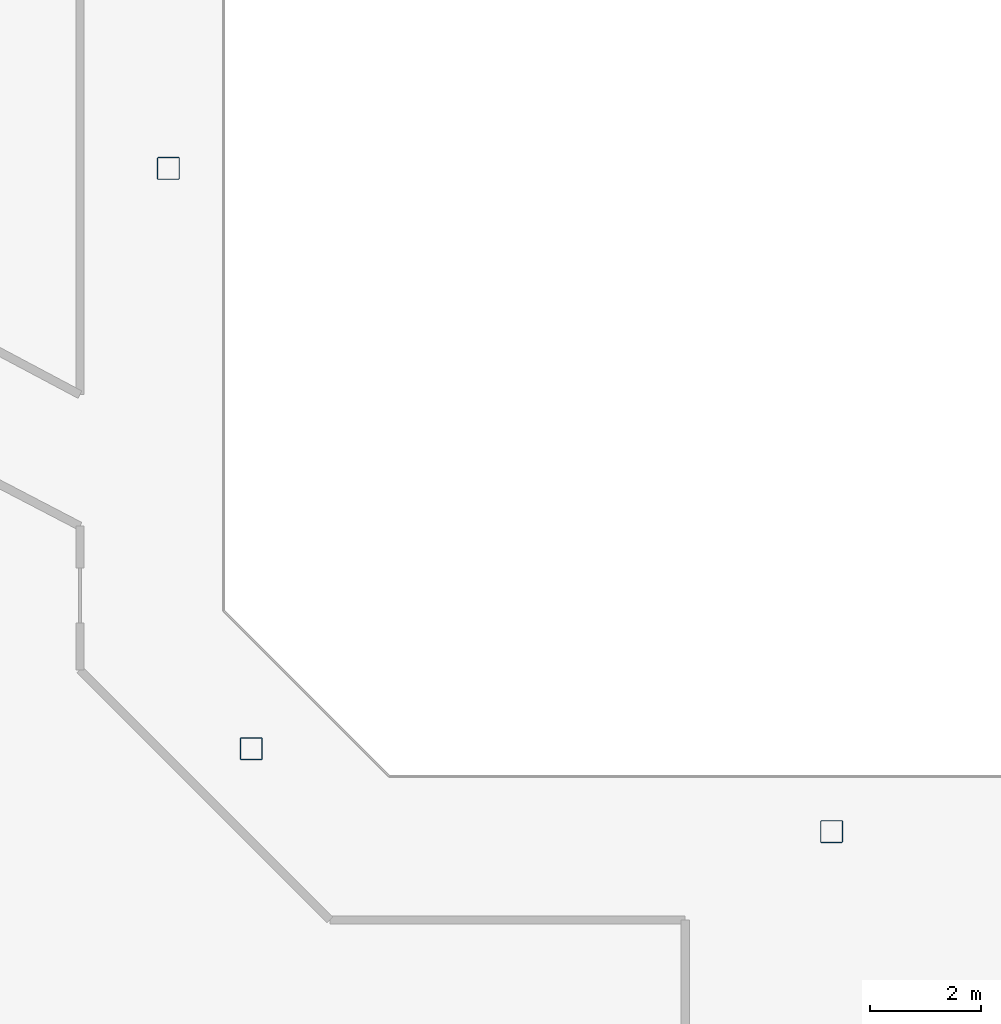
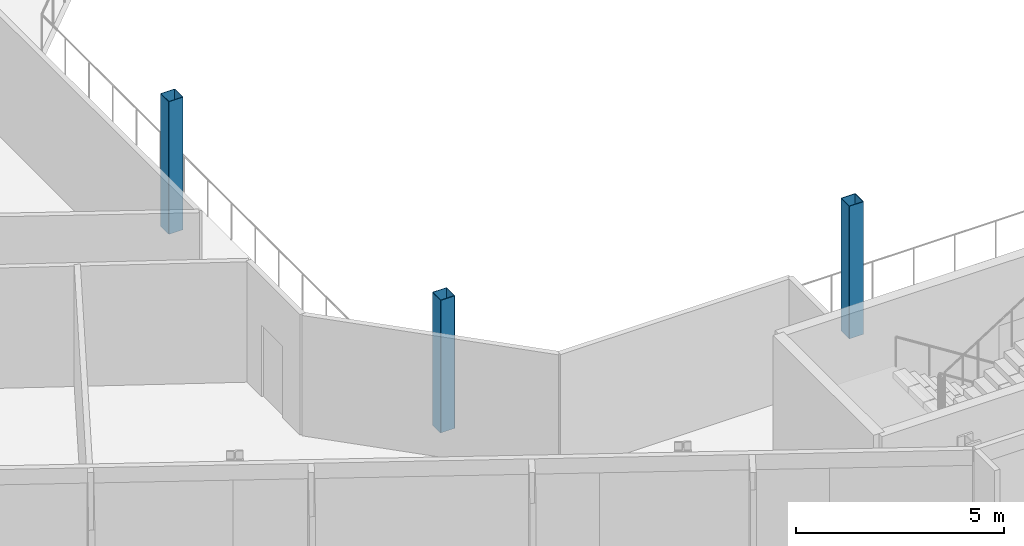
# One storey, part 2 of 26: 3 columns.
"""IFC4 building model written with IfcOpenShell, lengths in metres."""

from ifc_helpers import new_model, si_unit, direction, frame, origin, origin_2d, place, context, subcontext, project, spatial, hollow_rectangle, extrude, material, material_profile, profile_set, type_object, element, save


model = new_model("IFC4")

# Units and contexts
model_context = context("Model", 3, precision=1e-05, world=origin(), true_north=direction((0.0, 1.0)))
body_context = subcontext(model_context, "Body", "Model", "MODEL_VIEW")
ifc_project = project(units=[si_unit("LENGTHUNIT", "METRE"), si_unit("AREAUNIT", "SQUARE_METRE"), si_unit("VOLUMEUNIT", "CUBIC_METRE"), si_unit("PLANEANGLEUNIT", "RADIAN"), si_unit("MASSUNIT", "GRAM", prefix="KILO")], contexts=[model_context])

# Site, building, storey
site_placement = place(None, origin())
site = spatial("IfcSite", under=ifc_project, at=site_placement, CompositionType="ELEMENT")
building_placement = place(site_placement, origin())
building = spatial("IfcBuilding", under=site, at=building_placement, Name="Cormorant Relay Tower", CompositionType="ELEMENT")
storey_placement = place(building_placement, frame((0.0, 0.0, 213.0)))
storey = spatial("IfcBuildingStorey", under=building, at=storey_placement, Name="L46", CompositionType="ELEMENT", Elevation=213.0)

# Columns
ifc_material = material(Name="Steel ASTM A500 Grade C (Fy 345 MPa)", Category="steel")
ifc_material_profile = material_profile(ifc_material, hollow_rectangle(XDim=0.406494140625, YDim=0.406494140625, WallThickness=0.0146484375, InnerFilletRadius=0.00732421875, OuterFilletRadius=0.022216796875, at=origin_2d()), Name="HSS406x406x15")
ifc_profile_set = profile_set([ifc_material_profile], Name="Steel ASTM A500 Grade C (Fy 345 MPa)")
column_type = type_object("IfcColumnType", Name="Column HSS406x406x15", PredefinedType="COLUMN", material=ifc_profile_set)
for number, where, z_axis, x_axis, name in (
    (1, (0.0, -12.0, 0.0), (0.0, 0.0, 1.0), (1.0, 0.0, 0.0), "Column L46-007"),
    (2, (-10.5, -10.5, 0.0), (0.0, 0.0, 1.0), (1.0, 0.0, 0.0), "Column L46-009"),
    (3, (-12.0, 0.0, 0.0), (0.0, 0.0, 1.0), (1.0, 0.0, 0.0), "Column L46-015"),
):
    element("IfcColumn", number, at=place(storey_placement, frame(where, z_axis=z_axis, x_axis=x_axis)), inside=storey, type_object=column_type, Name=name, PredefinedType="COLUMN", context=body_context, shape_type="SweptSolid", body=[
        extrude(hollow_rectangle(XDim=0.406494140625, YDim=0.406494140625, WallThickness=0.0146484375, InnerFilletRadius=0.00732421875, OuterFilletRadius=0.022216796875, at=origin_2d()), origin(), (0.0, 0.0, 1.0), 3.89990234375),
    ])

save(model, "model.ifc")
